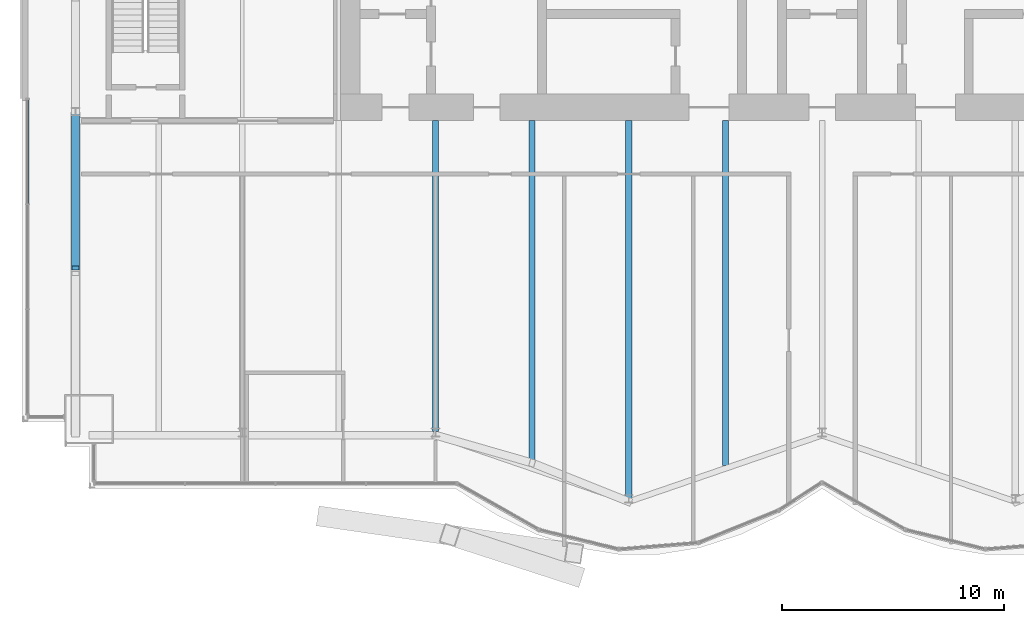
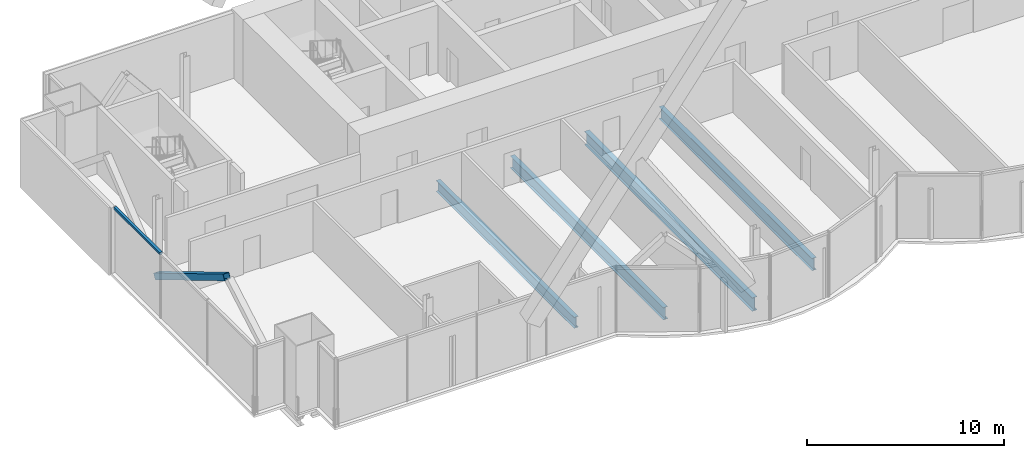
# One storey, part 7 of 22: 4 beams, 2 members, 1 element without a shape of its own.
"""IFC4 building model written with IfcOpenShell, lengths in metres."""

from ifc_helpers import new_model, si_unit, direction, frame, origin, origin_2d, place, context, subcontext, project, spatial, rectangle, hollow_rectangle, i_section, extrude, material, material_profile, profile_set, type_object, element, aggregate, save


model = new_model("IFC4")

# Units and contexts
model_context = context("Model", 3, precision=1e-05, world=origin(), true_north=direction((0.0, 1.0)))
body_context = subcontext(model_context, "Body", "Model", "MODEL_VIEW")
ifc_project = project(units=[si_unit("LENGTHUNIT", "METRE"), si_unit("AREAUNIT", "SQUARE_METRE"), si_unit("VOLUMEUNIT", "CUBIC_METRE"), si_unit("PLANEANGLEUNIT", "RADIAN"), si_unit("MASSUNIT", "GRAM", prefix="KILO")], contexts=[model_context])

# Site, building, storey
site_placement = place(None, origin())
site = spatial("IfcSite", under=ifc_project, at=site_placement, CompositionType="ELEMENT")
building_placement = place(site_placement, origin())
building = spatial("IfcBuilding", under=site, at=building_placement, Name="Bicima Exchange Tower", CompositionType="ELEMENT")
storey_placement = place(building_placement, frame((0.0, 0.0, 254.0)))
storey = spatial("IfcBuildingStorey", under=building, at=storey_placement, Name="L57", CompositionType="ELEMENT", Elevation=254.0)

# Curtain wall, member
ifc_material_1 = material(Name="Anodised bronze aluminium", Category="aluminium")
curtain_wall_type = type_object("IfcCurtainWallType", Name="End face glass wall", PredefinedType="NOTDEFINED", material=ifc_material_1)
curtain_wall_placement = place(storey_placement, origin())
curtain_wall = element("IfcCurtainWall", 1, at=curtain_wall_placement, inside=storey, type_object=curtain_wall_type, Name="End face glass wall L57 run 2", PredefinedType="NOTDEFINED")
ifc_material_profile_1 = material_profile(ifc_material_1, rectangle(XDim=0.159912109375, YDim=0.139892578125, at=origin_2d()))
ifc_profile_set_1 = profile_set([ifc_material_profile_1], Name="Anodised bronze aluminium")
member_type_1 = type_object("IfcMemberType", Name="End face glass wall transom 140 x 160", PredefinedType="USERDEFINED", material=ifc_profile_set_1)
member_1_placement = place(storey_placement, frame((-35.77001953125, -12.06005859375, 3.97998046875), z_axis=(0.0, -1.0, 0.0), x_axis=(1.0, 0.0, 0.0)))
member_1 = element("IfcMember", 2, at=member_1_placement, type_object=member_type_1, Name="End face glass wall transom 1.1", ObjectType="TRANSOM", PredefinedType="USERDEFINED", context=body_context, shape_type="SweptSolid", body=[
    extrude(rectangle(XDim=0.159912109375, YDim=0.139892578125, at=origin_2d()), origin(), (0.0, 0.0, 1.0), 4.668701171875),
])
aggregate(curtain_wall, [member_1])

# Beams
ifc_material_2 = material(Name="Steel ASTM A992 Gr 50", Category="steel")
ifc_material_profile_2 = material_profile(ifc_material_2, i_section(OverallWidth=0.25390625, OverallDepth=0.67822265625, WebThickness=0.01171875, FlangeThickness=0.016357421875, at=origin_2d()))
ifc_profile_set_2 = profile_set([ifc_material_profile_2], Name="Steel ASTM A992 Gr 50")
beam_type_1 = type_object("IfcBeamType", Name="Floor beam W27x84", PredefinedType="JOIST", material=ifc_profile_set_2)
beam_1_placement = place(storey_placement, frame((-17.39990234375, -13.0, -0.489013671875), z_axis=(0.0, -1.0, 0.0), x_axis=(1.0, 0.0, 0.0)))
element("IfcBeam", 3, at=beam_1_placement, inside=storey, type_object=beam_type_1, Name="Floor beam", PredefinedType="JOIST", context=body_context, shape_type="SweptSolid", body=[
    extrude(i_section(OverallWidth=0.25390625, OverallDepth=0.67822265625, WebThickness=0.01171875, FlangeThickness=0.016357421875, at=origin_2d()), origin(), (0.0, 0.0, 1.0), 13.993408203125),
])
ifc_material_profile_3 = material_profile(ifc_material_2, i_section(OverallWidth=0.2666015625, OverallDepth=0.75439453125, WebThickness=0.01318359375, FlangeThickness=0.01708984375, at=origin_2d()))
ifc_profile_set_3 = profile_set([ifc_material_profile_3], Name="Steel ASTM A992 Gr 50")
beam_type_2 = type_object("IfcBeamType", Name="Floor beam W30x99", PredefinedType="JOIST", material=ifc_profile_set_3)
for number, where, z_axis, x_axis, name in (
    (4, (-13.050048828125, -13.0, -0.527099609375), (0.0, -1.0, 0.0), (1.0, 0.0, 0.0), "Floor beam"),
    (5, (-4.35009765625, -13.0, -0.527099609375), (0.0, -1.0, 0.0), (1.0, 0.0, 0.0), "Floor beam"),
):
    element("IfcBeam", number, at=place(storey_placement, frame(where, z_axis=z_axis, x_axis=x_axis)), inside=storey, type_object=beam_type_2, Name=name, PredefinedType="JOIST", context=body_context, shape_type="SweptSolid", body=[
        extrude(i_section(OverallWidth=0.2666015625, OverallDepth=0.75439453125, WebThickness=0.01318359375, FlangeThickness=0.01708984375, at=origin_2d()), origin(), (0.0, 0.0, 1.0), 15.515869140625),
    ])
ifc_material_profile_4 = material_profile(ifc_material_2, i_section(OverallWidth=0.2919921875, OverallDepth=0.835693359375, WebThickness=0.013916015625, FlangeThickness=0.018798828125, at=origin_2d()))
ifc_profile_set_4 = profile_set([ifc_material_profile_4], Name="Steel ASTM A992 Gr 50")
beam_type_3 = type_object("IfcBeamType", Name="Floor beam W33x118", PredefinedType="JOIST", material=ifc_profile_set_4)
beam_2_placement = place(storey_placement, frame((-8.699951171875, -13.0, -0.56787109375), z_axis=(0.0, -1.0, 0.0), x_axis=(1.0, 0.0, 0.0)))
element("IfcBeam", 6, at=beam_2_placement, inside=storey, type_object=beam_type_3, Name="Floor beam", PredefinedType="JOIST", context=body_context, shape_type="SweptSolid", body=[
    extrude(i_section(OverallWidth=0.2919921875, OverallDepth=0.835693359375, WebThickness=0.013916015625, FlangeThickness=0.018798828125, at=origin_2d()), origin(), (0.0, 0.0, 1.0), 17.011474609375),
])

# Member
ifc_material_3 = material(Name="Steel ASTM A572 Gr 50", Category="steel")
ifc_material_profile_5 = material_profile(ifc_material_3, hollow_rectangle(XDim=0.355712890625, YDim=0.355712890625, WallThickness=0.0146484375, at=origin_2d()))
ifc_profile_set_5 = profile_set([ifc_material_profile_5], Name="Steel ASTM A572 Gr 50")
member_type_2 = type_object("IfcMemberType", Name="Mega brace HSS14x14x5/8", PredefinedType="BRACE", material=ifc_profile_set_5)
member_2_placement = place(storey_placement, frame((-33.60009765625, -12.60009765625, -0.645263671875), z_axis=(0.0, -0.858590091642, 0.512662710302), x_axis=(1.0, 0.0, 0.0)))
element("IfcMember", 7, at=member_2_placement, inside=storey, type_object=member_type_2, Name="Mega brace west end", PredefinedType="BRACE", context=body_context, shape_type="SweptSolid", body=[
    extrude(hollow_rectangle(XDim=0.355712890625, YDim=0.355712890625, WallThickness=0.0146484375, at=origin_2d()), origin(), (0.0, 0.0, 1.0), 8.1923828125),
])

save(model, "model.ifc")
